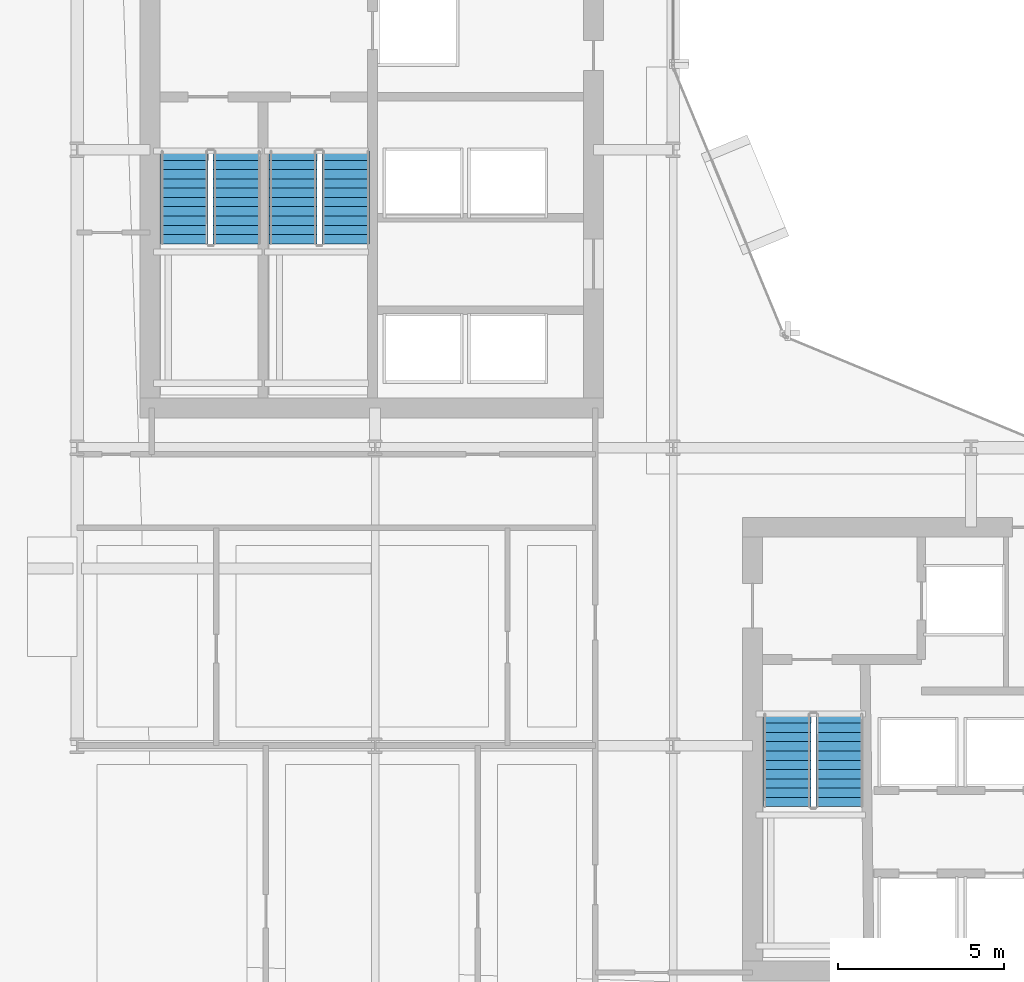
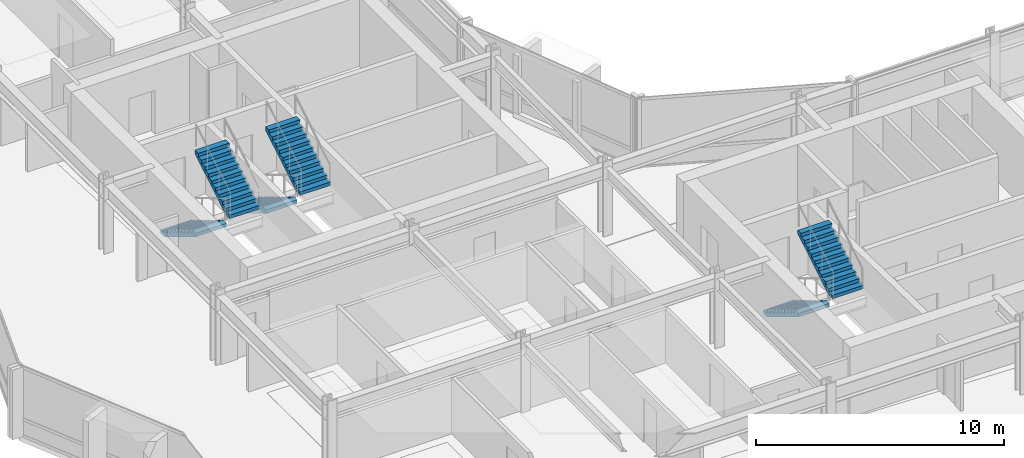
# One storey, part 29 of 34: 6 stair flights, 3 elements without a shape of their own.
"""IFC4 building model written with IfcOpenShell, lengths in metres."""

from ifc_helpers import new_model, si_unit, direction, frame, origin, place, context, subcontext, project, spatial, polyline, outline, extrude, material, layer, layer_set, type_object, element, aggregate, save


model = new_model("IFC4")

# Units and contexts
model_context = context("Model", 3, precision=1e-05, world=origin(), true_north=direction((0.0, 1.0)))
body_context = subcontext(model_context, "Body", "Model", "MODEL_VIEW")
ifc_project = project(units=[si_unit("LENGTHUNIT", "METRE"), si_unit("AREAUNIT", "SQUARE_METRE"), si_unit("VOLUMEUNIT", "CUBIC_METRE"), si_unit("PLANEANGLEUNIT", "RADIAN"), si_unit("MASSUNIT", "GRAM", prefix="KILO")], contexts=[model_context])

# Site, building, storey
site_placement = place(None, origin())
site = spatial("IfcSite", under=ifc_project, at=site_placement, CompositionType="ELEMENT")
building_placement = place(site_placement, origin())
building = spatial("IfcBuilding", under=site, at=building_placement, Name="Solvaryn Broadcast Tower", CompositionType="ELEMENT")
storey_placement = place(building_placement, frame((0.0, 0.0, 73.0)))
storey = spatial("IfcBuildingStorey", under=building, at=storey_placement, Name="L17", CompositionType="ELEMENT", Elevation=73.0)

# Stair, stair flights
ifc_material_1 = material(Name="Concrete f'c 60 MPa", Category="concrete")
stair_type = type_object("IfcStairType", Name="ST-CORE", PredefinedType="HALF_TURN_STAIR", material=ifc_material_1)
stair_1_placement = place(storey_placement, origin())
stair_1 = element("IfcStair", 1, at=stair_1_placement, inside=storey, type_object=stair_type, Name="L17 ST1", PredefinedType="HALF_TURN_STAIR")
ifc_material_2 = material(Name="Concrete f'c 60 MPa", Category="concrete")
ifc_layer = layer(ifc_material_2, 0.159912109375)
ifc_layer_set = layer_set([ifc_layer], Name="SF-CORE")
stair_flight_type = type_object("IfcStairFlightType", Name="SF-CORE", PredefinedType="STRAIGHT", material=ifc_layer_set)
stair_flight_1_placement = place(storey_placement, frame((12.239990234375, 35.9599609375, 0.0), z_axis=(0.0, 0.0, 1.0), x_axis=(0.0, -1.0, 0.0)))
stair_flight_1 = element("IfcStairFlight", 2, at=stair_flight_1_placement, type_object=stair_flight_type, Name="ST1 flight 1", NumberOfRisers=11, NumberOfTreads=10, PredefinedType="STRAIGHT", RiserHeight=0.168181818, TreadLength=0.28, context=body_context, shape_type="SweptSolid", body=[
    extrude(outline(polyline([(0.0, 0.0), (0.0, 0.168212890625), (0.280029296875, 0.168212890625), (0.280029296875, 0.33642578125), (0.56005859375, 0.33642578125), (0.56005859375, 0.504638671875), (0.840087890625, 0.504638671875), (0.840087890625, 0.672607421875), (1.1201171875, 0.672607421875), (1.1201171875, 0.8408203125), (1.39990234375, 0.8408203125), (1.39990234375, 1.009033203125), (1.679931640625, 1.009033203125), (1.679931640625, 1.17724609375), (1.9599609375, 1.17724609375), (1.9599609375, 1.345458984375), (2.239990234375, 1.345458984375), (2.239990234375, 1.513671875), (2.52001953125, 1.513671875), (2.52001953125, 1.681884765625), (2.800048828125, 1.681884765625), (2.800048828125, 1.85009765625), (2.800048828125, 1.5068359375), (0.291015625, 0.0), (0.0, 0.0)])), frame((0.0, 0.719970703125, 0.0), z_axis=(0.0, -1.0, 0.0), x_axis=(1.0, 0.0, 0.0)), (0.0, 0.0, 1.0), 1.43994140625),
])
stair_flight_2_placement = place(storey_placement, frame((13.830078125, 33.159912109375, 1.85009765625), z_axis=(0.0, 0.0, 1.0), x_axis=(0.0, 1.0, 0.0)))
stair_flight_2 = element("IfcStairFlight", 3, at=stair_flight_2_placement, type_object=stair_flight_type, Name="ST1 flight 2", NumberOfRisers=11, NumberOfTreads=10, PredefinedType="STRAIGHT", RiserHeight=0.168181818, TreadLength=0.28, context=body_context, shape_type="SweptSolid", body=[
    extrude(outline(polyline([(0.0, 0.0), (0.0, 0.168212890625), (0.280029296875, 0.168212890625), (0.280029296875, 0.33642578125), (0.56005859375, 0.33642578125), (0.56005859375, 0.504638671875), (0.840087890625, 0.504638671875), (0.840087890625, 0.672607421875), (1.1201171875, 0.672607421875), (1.1201171875, 0.8408203125), (1.39990234375, 0.8408203125), (1.39990234375, 1.009033203125), (1.679931640625, 1.009033203125), (1.679931640625, 1.17724609375), (1.9599609375, 1.17724609375), (1.9599609375, 1.345458984375), (2.239990234375, 1.345458984375), (2.239990234375, 1.513671875), (2.52001953125, 1.513671875), (2.52001953125, 1.681884765625), (2.800048828125, 1.681884765625), (2.800048828125, 1.85009765625), (2.800048828125, 1.5068359375), (0.291015625, 0.0), (0.0, 0.0)])), frame((0.0, 0.719970703125, 0.0), z_axis=(0.0, -1.0, 0.0), x_axis=(1.0, 0.0, 0.0)), (0.0, 0.0, 1.0), 1.43994140625),
])
aggregate(stair_1, [stair_flight_1, stair_flight_2])

stair_2_placement = place(storey_placement, origin())
stair_2 = element("IfcStair", 4, at=stair_2_placement, inside=storey, type_object=stair_type, Name="L17 ST2", PredefinedType="HALF_TURN_STAIR")
stair_flight_3_placement = place(storey_placement, frame((15.52001953125, 35.9599609375, 0.0), z_axis=(0.0, 0.0, 1.0), x_axis=(0.0, -1.0, 0.0)))
stair_flight_3 = element("IfcStairFlight", 5, at=stair_flight_3_placement, type_object=stair_flight_type, Name="ST2 flight 1", NumberOfRisers=11, NumberOfTreads=10, PredefinedType="STRAIGHT", RiserHeight=0.168181818, TreadLength=0.28, context=body_context, shape_type="SweptSolid", body=[
    extrude(outline(polyline([(0.0, 0.0), (0.0, 0.168212890625), (0.280029296875, 0.168212890625), (0.280029296875, 0.33642578125), (0.56005859375, 0.33642578125), (0.56005859375, 0.504638671875), (0.840087890625, 0.504638671875), (0.840087890625, 0.672607421875), (1.1201171875, 0.672607421875), (1.1201171875, 0.8408203125), (1.39990234375, 0.8408203125), (1.39990234375, 1.009033203125), (1.679931640625, 1.009033203125), (1.679931640625, 1.17724609375), (1.9599609375, 1.17724609375), (1.9599609375, 1.345458984375), (2.239990234375, 1.345458984375), (2.239990234375, 1.513671875), (2.52001953125, 1.513671875), (2.52001953125, 1.681884765625), (2.800048828125, 1.681884765625), (2.800048828125, 1.85009765625), (2.800048828125, 1.5068359375), (0.291015625, 0.0), (0.0, 0.0)])), frame((0.0, 0.719970703125, 0.0), z_axis=(0.0, -1.0, 0.0), x_axis=(1.0, 0.0, 0.0)), (0.0, 0.0, 1.0), 1.43994140625),
])
stair_flight_4_placement = place(storey_placement, frame((17.110107421875, 33.159912109375, 1.85009765625), z_axis=(0.0, 0.0, 1.0), x_axis=(0.0, 1.0, 0.0)))
stair_flight_4 = element("IfcStairFlight", 6, at=stair_flight_4_placement, type_object=stair_flight_type, Name="ST2 flight 2", NumberOfRisers=11, NumberOfTreads=10, PredefinedType="STRAIGHT", RiserHeight=0.168181818, TreadLength=0.28, context=body_context, shape_type="SweptSolid", body=[
    extrude(outline(polyline([(0.0, 0.0), (0.0, 0.168212890625), (0.280029296875, 0.168212890625), (0.280029296875, 0.33642578125), (0.56005859375, 0.33642578125), (0.56005859375, 0.504638671875), (0.840087890625, 0.504638671875), (0.840087890625, 0.672607421875), (1.1201171875, 0.672607421875), (1.1201171875, 0.8408203125), (1.39990234375, 0.8408203125), (1.39990234375, 1.009033203125), (1.679931640625, 1.009033203125), (1.679931640625, 1.17724609375), (1.9599609375, 1.17724609375), (1.9599609375, 1.345458984375), (2.239990234375, 1.345458984375), (2.239990234375, 1.513671875), (2.52001953125, 1.513671875), (2.52001953125, 1.681884765625), (2.800048828125, 1.681884765625), (2.800048828125, 1.85009765625), (2.800048828125, 1.5068359375), (0.291015625, 0.0), (0.0, 0.0)])), frame((0.0, 0.719970703125, 0.0), z_axis=(0.0, -1.0, 0.0), x_axis=(1.0, 0.0, 0.0)), (0.0, 0.0, 1.0), 1.43994140625),
])
aggregate(stair_2, [stair_flight_3, stair_flight_4])

stair_3_placement = place(storey_placement, origin())
stair_3 = element("IfcStair", 7, at=stair_3_placement, inside=storey, type_object=stair_type, Name="L17 ST3", PredefinedType="HALF_TURN_STAIR")
stair_flight_5_placement = place(storey_placement, frame((30.43994140625, 18.9599609375, 0.0), z_axis=(0.0, 0.0, 1.0), x_axis=(0.0, -1.0, 0.0)))
stair_flight_5 = element("IfcStairFlight", 8, at=stair_flight_5_placement, type_object=stair_flight_type, Name="ST3 flight 1", NumberOfRisers=11, NumberOfTreads=10, PredefinedType="STRAIGHT", RiserHeight=0.168181818, TreadLength=0.28, context=body_context, shape_type="SweptSolid", body=[
    extrude(outline(polyline([(0.0, 0.0), (0.0, 0.168212890625), (0.280029296875, 0.168212890625), (0.280029296875, 0.33642578125), (0.56005859375, 0.33642578125), (0.56005859375, 0.504638671875), (0.840087890625, 0.504638671875), (0.840087890625, 0.672607421875), (1.1201171875, 0.672607421875), (1.1201171875, 0.8408203125), (1.39990234375, 0.8408203125), (1.39990234375, 1.009033203125), (1.679931640625, 1.009033203125), (1.679931640625, 1.17724609375), (1.9599609375, 1.17724609375), (1.9599609375, 1.345458984375), (2.239990234375, 1.345458984375), (2.239990234375, 1.513671875), (2.52001953125, 1.513671875), (2.52001953125, 1.681884765625), (2.800048828125, 1.681884765625), (2.800048828125, 1.85009765625), (2.800048828125, 1.5068359375), (0.291015625, 0.0), (0.0, 0.0)])), frame((0.0, 0.719970703125, 0.0), z_axis=(0.0, -1.0, 0.0), x_axis=(1.0, 0.0, 0.0)), (0.0, 0.0, 1.0), 1.43994140625),
])
stair_flight_6_placement = place(storey_placement, frame((32.030029296875, 16.159912109375, 1.85009765625), z_axis=(0.0, 0.0, 1.0), x_axis=(0.0, 1.0, 0.0)))
stair_flight_6 = element("IfcStairFlight", 9, at=stair_flight_6_placement, type_object=stair_flight_type, Name="ST3 flight 2", NumberOfRisers=11, NumberOfTreads=10, PredefinedType="STRAIGHT", RiserHeight=0.168181818, TreadLength=0.28, context=body_context, shape_type="SweptSolid", body=[
    extrude(outline(polyline([(0.0, 0.0), (0.0, 0.168212890625), (0.280029296875, 0.168212890625), (0.280029296875, 0.33642578125), (0.56005859375, 0.33642578125), (0.56005859375, 0.504638671875), (0.840087890625, 0.504638671875), (0.840087890625, 0.672607421875), (1.1201171875, 0.672607421875), (1.1201171875, 0.8408203125), (1.39990234375, 0.8408203125), (1.39990234375, 1.009033203125), (1.679931640625, 1.009033203125), (1.679931640625, 1.17724609375), (1.9599609375, 1.17724609375), (1.9599609375, 1.345458984375), (2.239990234375, 1.345458984375), (2.239990234375, 1.513671875), (2.52001953125, 1.513671875), (2.52001953125, 1.681884765625), (2.800048828125, 1.681884765625), (2.800048828125, 1.85009765625), (2.800048828125, 1.5068359375), (0.291015625, 0.0), (0.0, 0.0)])), frame((0.0, 0.719970703125, 0.0), z_axis=(0.0, -1.0, 0.0), x_axis=(1.0, 0.0, 0.0)), (0.0, 0.0, 1.0), 1.43994140625),
])
aggregate(stair_3, [stair_flight_5, stair_flight_6])

save(model, "model.ifc")
